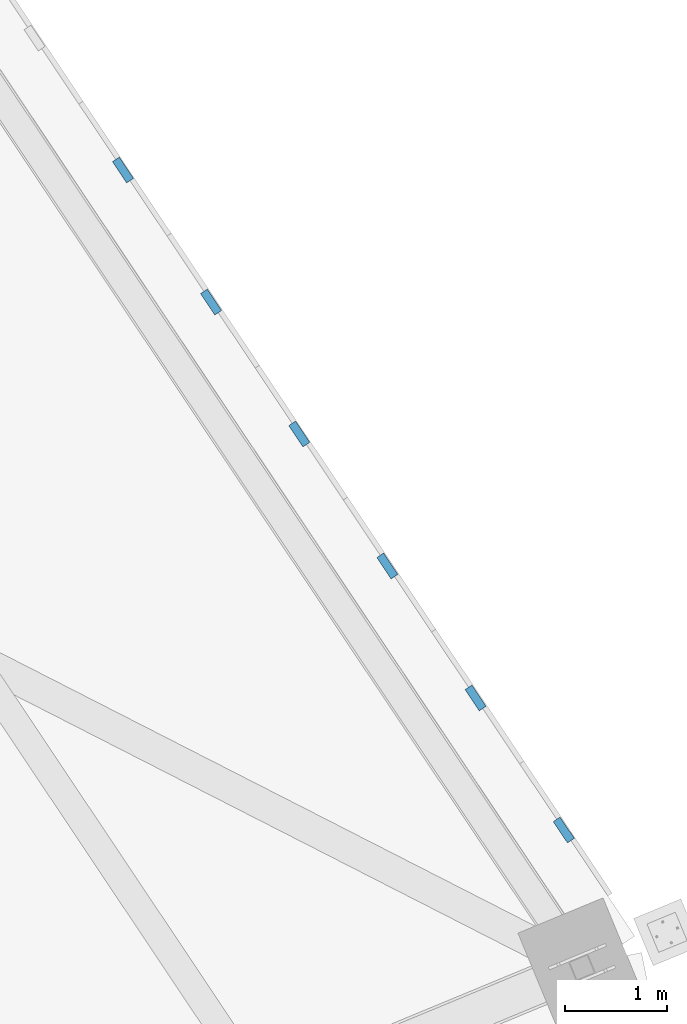
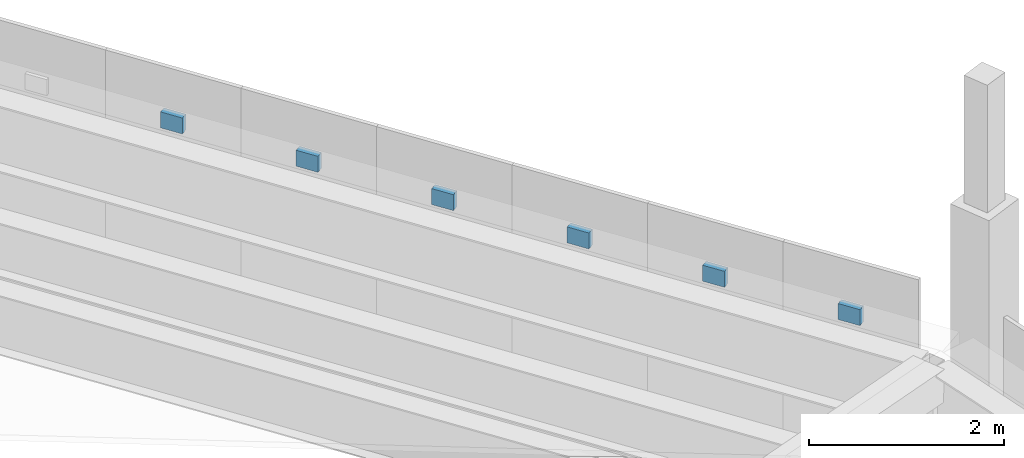
# One storey, part 265 of 278: 6 discrete accessories.
"""IFC4 building model written with IfcOpenShell, lengths in metres."""

from ifc_helpers import new_model, si_unit, direction, frame, origin, origin_2d, place, context, subcontext, project, spatial, rectangle, extrude, material, layer, layer_set, type_object, element, save


model = new_model("IFC4")

# Units and contexts
model_context = context("Model", 3, precision=1e-05, world=origin(), true_north=direction((0.0, 1.0)))
body_context = subcontext(model_context, "Body", "Model", "MODEL_VIEW")
ifc_project = project(units=[si_unit("LENGTHUNIT", "METRE"), si_unit("AREAUNIT", "SQUARE_METRE"), si_unit("VOLUMEUNIT", "CUBIC_METRE"), si_unit("PLANEANGLEUNIT", "RADIAN"), si_unit("MASSUNIT", "GRAM", prefix="KILO")], contexts=[model_context])

# Site, building, storey
site_placement = place(None, origin())
site = spatial("IfcSite", under=ifc_project, at=site_placement, CompositionType="ELEMENT")
building_placement = place(site_placement, origin())
building = spatial("IfcBuilding", under=site, at=building_placement, Name="Ogive Plaza Stadium", CompositionType="ELEMENT")
storey_placement = place(building_placement, frame((0.0, 0.0, 29.0)))
storey = spatial("IfcBuildingStorey", under=building, at=storey_placement, Name="Roof", CompositionType="ELEMENT", Elevation=29.0)

# Discrete accessories
ifc_material = material(Name="Steel ASTM A572 Grade 50", Category="steel")
ifc_layer = layer(ifc_material, 0.080078125)
ifc_layer_set = layer_set([ifc_layer], Name="Steel ASTM A572 Grade 50")
discrete_accessory_type = type_object("IfcDiscreteAccessoryType", Name="Tracery screen bracket 250x200", PredefinedType="BRACKET", material=ifc_layer_set)
for number, where, z_axis, x_axis, name in (
    (1, (75.704345703125, 79.4326171875, 5.25), (0.0, 0.0, 1.0), (0.55557023302, -0.831469612303, 0.0), "TRACERY SCREEN BRACKET B39 7"),
    (2, (76.566650390625, 78.141845703125, 5.25), (0.0, 0.0, 1.0), (0.55557023302, -0.831469612303, 0.0), "TRACERY SCREEN BRACKET B39 8"),
    (3, (77.428955078125, 76.851318359375, 5.25), (0.0, 0.0, 1.0), (0.55557023302, -0.831469612303, 0.0), "TRACERY SCREEN BRACKET B39 9"),
    (4, (78.291259765625, 75.560791015625, 5.25), (0.0, 0.0, 1.0), (0.55557023302, -0.831469612303, 0.0), "TRACERY SCREEN BRACKET B39 10"),
    (5, (79.153564453125, 74.270263671875, 5.25), (0.0, 0.0, 1.0), (0.55557023302, -0.831469612303, 0.0), "TRACERY SCREEN BRACKET B39 11"),
    (6, (80.015869140625, 72.9794921875, 5.25), (0.0, 0.0, 1.0), (0.55557023302, -0.831469612303, 0.0), "TRACERY SCREEN BRACKET B39 12"),
):
    element("IfcDiscreteAccessory", number, at=place(storey_placement, frame(where, z_axis=z_axis, x_axis=x_axis)), inside=storey, type_object=discrete_accessory_type, Name=name, PredefinedType="BRACKET", context=body_context, shape_type="SweptSolid", body=[
        extrude(rectangle(XDim=0.25, YDim=0.080078125, at=origin_2d()), origin(), (0.0, 0.0, 1.0), 0.199951171875),
    ])

save(model, "model.ifc")
